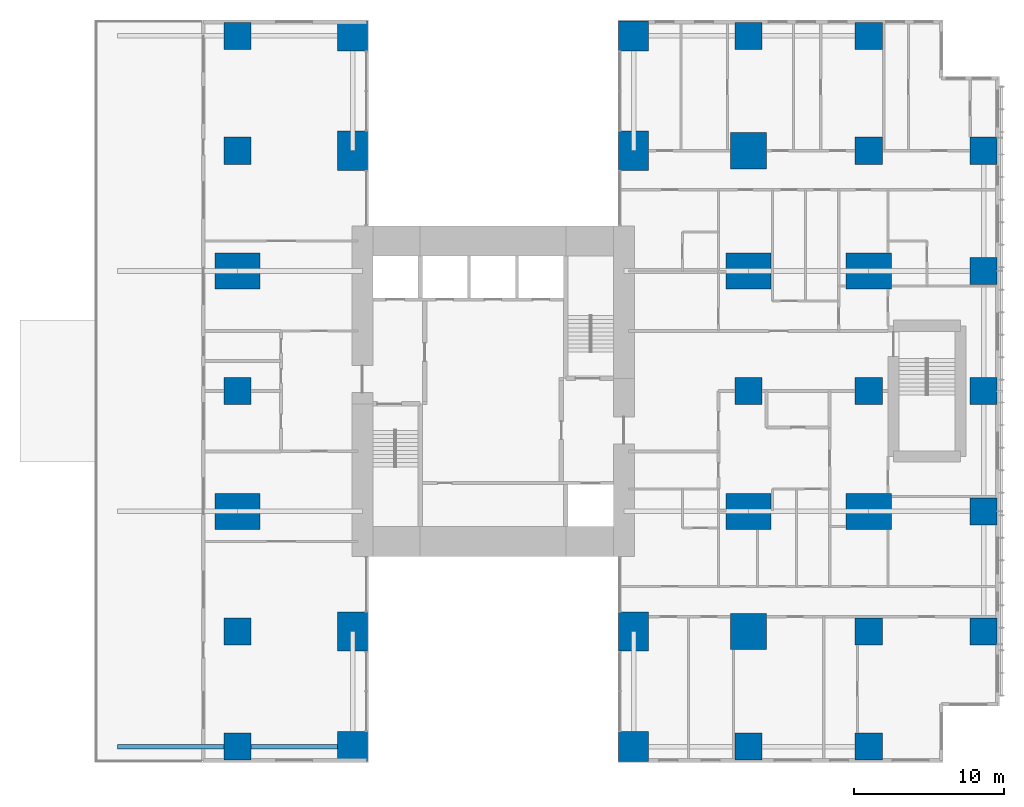
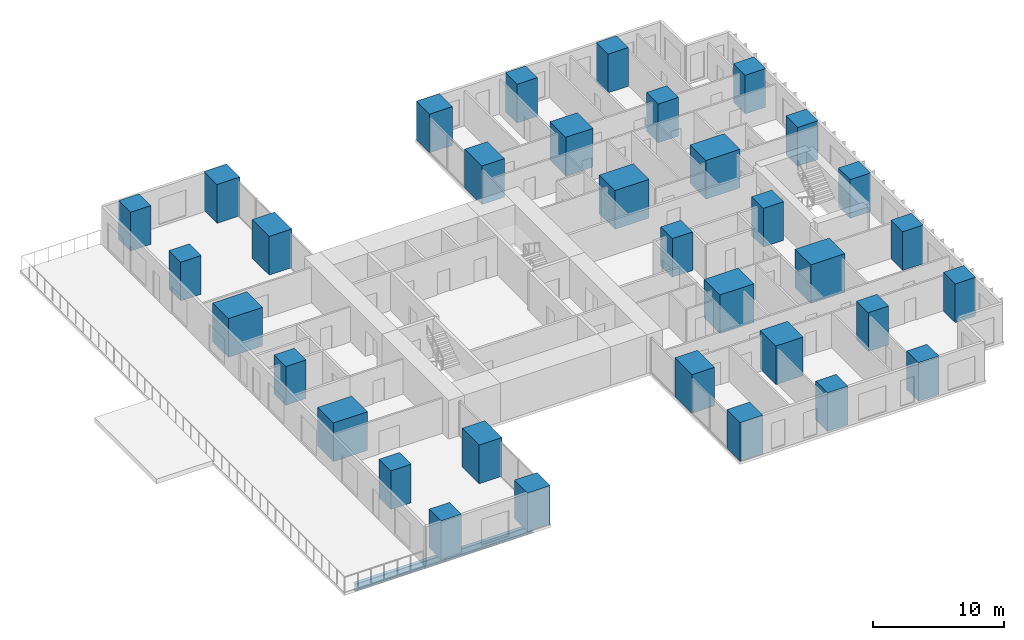
# One storey, part 1 of 15: 34 columns, 2 beams.
"""IFC4 building model written with IfcOpenShell, lengths in metres."""

from ifc_helpers import new_model, si_unit, direction, frame, origin, origin_2d, place, context, subcontext, project, spatial, rectangle, i_section, extrude, material, material_profile, profile_set, type_object, element, save


model = new_model("IFC4")

# Units and contexts
model_context = context("Model", 3, precision=1e-05, world=origin(), true_north=direction((0.0, 1.0)))
body_context = subcontext(model_context, "Body", "Model", "MODEL_VIEW")
ifc_project = project(units=[si_unit("LENGTHUNIT", "METRE"), si_unit("AREAUNIT", "SQUARE_METRE"), si_unit("VOLUMEUNIT", "CUBIC_METRE"), si_unit("PLANEANGLEUNIT", "RADIAN"), si_unit("MASSUNIT", "GRAM", prefix="KILO")], contexts=[model_context])

# Site, building, storey
site_placement = place(None, origin())
site = spatial("IfcSite", under=ifc_project, at=site_placement, CompositionType="ELEMENT")
building_placement = place(site_placement, origin())
building = spatial("IfcBuilding", under=site, at=building_placement, Name="Cleftline Residences", CompositionType="ELEMENT")
storey_placement = place(building_placement, frame((0.0, 0.0, 221.800048828125)))
storey = spatial("IfcBuildingStorey", under=building, at=storey_placement, Name="L58", CompositionType="ELEMENT", Elevation=221.800048828125)

# Columns
ifc_material_1 = material(Name="Concrete B70", Category="concrete")
ifc_material_profile_1 = material_profile(ifc_material_1, rectangle(XDim=1.800048828125, YDim=1.800048828125, at=origin_2d()))
ifc_profile_set_1 = profile_set([ifc_material_profile_1], Name="Concrete B70")
column_type_1 = type_object("IfcColumnType", Name="COLUMN RC1800X1800", PredefinedType="COLUMN", material=ifc_profile_set_1)
for number, where, z_axis, x_axis, name in (
    (1, (16.0, 0.35009765625, 0.0), (0.0, 0.0, 1.0), (1.0, 0.0, 0.0), "Column C/5"),
    (2, (16.0, 8.0, 0.0), (0.0, 0.0, 1.0), (1.0, 0.0, 0.0), "Column D/5"),
    (3, (16.0, 24.0, 0.0), (0.0, 0.0, 1.0), (1.0, 0.0, 0.0), "Column F/5"),
    (4, (16.0, 40.0, 0.0), (0.0, 0.0, 1.0), (1.0, 0.0, 0.0), "Column H/5"),
    (5, (16.0, 47.64990234375, 0.0), (0.0, 0.0, 1.0), (1.0, 0.0, 0.0), "Column J/5"),
    (6, (50.0, 0.35009765625, 0.0), (0.0, 0.0, 1.0), (1.0, 0.0, 0.0), "Column C/9"),
    (7, (50.0, 24.0, 0.0), (0.0, 0.0, 1.0), (1.0, 0.0, 0.0), "Column F/9"),
    (8, (50.0, 47.64990234375, 0.0), (0.0, 0.0, 1.0), (1.0, 0.0, 0.0), "Column J/9"),
    (9, (58.0, 0.35009765625, 0.0), (0.0, 0.0, 1.0), (1.0, 0.0, 0.0), "Column C/10"),
    (10, (58.0, 8.0, 0.0), (0.0, 0.0, 1.0), (1.0, 0.0, 0.0), "Column D/10"),
    (11, (58.0, 24.0, 0.0), (0.0, 0.0, 1.0), (1.0, 0.0, 0.0), "Column F/10"),
    (12, (58.0, 40.0, 0.0), (0.0, 0.0, 1.0), (1.0, 0.0, 0.0), "Column H/10"),
    (13, (58.0, 47.64990234375, 0.0), (0.0, 0.0, 1.0), (1.0, 0.0, 0.0), "Column J/10"),
    (14, (65.64990234375, 8.0, 0.0), (0.0, 0.0, 1.0), (1.0, 0.0, 0.0), "Column D/11"),
    (15, (65.64990234375, 16.0, 0.0), (0.0, 0.0, 1.0), (1.0, 0.0, 0.0), "Column E/11"),
    (16, (65.64990234375, 24.0, 0.0), (0.0, 0.0, 1.0), (1.0, 0.0, 0.0), "Column F/11"),
    (17, (65.64990234375, 32.0, 0.0), (0.0, 0.0, 1.0), (1.0, 0.0, 0.0), "Column G/11"),
    (18, (65.64990234375, 40.0, 0.0), (0.0, 0.0, 1.0), (1.0, 0.0, 0.0), "Column H/11"),
):
    element("IfcColumn", number, at=place(storey_placement, frame(where, z_axis=z_axis, x_axis=x_axis)), inside=storey, type_object=column_type_1, Name=name, PredefinedType="COLUMN", context=body_context, shape_type="SweptSolid", body=[
        extrude(rectangle(XDim=1.800048828125, YDim=1.800048828125, at=origin_2d()), origin(), (0.0, 0.0, 1.0), 3.599853515625),
    ])
ifc_material_2 = material(Name="Concrete B70", Category="concrete")
ifc_material_profile_2 = material_profile(ifc_material_2, rectangle(XDim=2.0, YDim=2.0, at=origin_2d()))
ifc_profile_set_2 = profile_set([ifc_material_profile_2], Name="Concrete B70")
column_type_2 = type_object("IfcColumnType", Name="COLUMN RC2000X2000", PredefinedType="COLUMN", material=ifc_profile_set_2)
for number, where, z_axis, x_axis, name in (
    (19, (23.64990234375, 0.35009765625, 0.0), (0.0, 0.0, 1.0), (1.0, 0.0, 0.0), "Column C/6"),
    (20, (23.64990234375, 47.64990234375, 0.0), (0.0, 0.0, 1.0), (1.0, 0.0, 0.0), "Column J/6"),
    (21, (42.35009765625, 0.35009765625, 0.0), (0.0, 0.0, 1.0), (1.0, 0.0, 0.0), "Column C/8"),
    (22, (42.35009765625, 47.64990234375, 0.0), (0.0, 0.0, 1.0), (1.0, 0.0, 0.0), "Column J/8"),
):
    element("IfcColumn", number, at=place(storey_placement, frame(where, z_axis=z_axis, x_axis=x_axis)), inside=storey, type_object=column_type_2, Name=name, PredefinedType="COLUMN", context=body_context, shape_type="SweptSolid", body=[
        extrude(rectangle(XDim=2.0, YDim=2.0, at=origin_2d()), origin(), (0.0, 0.0, 1.0), 3.599853515625),
    ])
ifc_material_3 = material(Name="Concrete B70", Category="concrete")
ifc_material_profile_3 = material_profile(ifc_material_3, rectangle(XDim=2.0, YDim=2.60009765625, at=origin_2d()))
ifc_profile_set_3 = profile_set([ifc_material_profile_3], Name="Concrete B70")
column_type_3 = type_object("IfcColumnType", Name="COLUMN RC2000X2600", PredefinedType="COLUMN", material=ifc_profile_set_3)
for number, where, z_axis, x_axis, name in (
    (23, (23.64990234375, 8.0, 0.0), (0.0, 0.0, 1.0), (1.0, 0.0, 0.0), "Column D/6"),
    (24, (23.64990234375, 40.0, 0.0), (0.0, 0.0, 1.0), (1.0, 0.0, 0.0), "Column H/6"),
    (25, (42.35009765625, 8.0, 0.0), (0.0, 0.0, 1.0), (1.0, 0.0, 0.0), "Column D/8"),
    (26, (42.35009765625, 40.0, 0.0), (0.0, 0.0, 1.0), (1.0, 0.0, 0.0), "Column H/8"),
):
    element("IfcColumn", number, at=place(storey_placement, frame(where, z_axis=z_axis, x_axis=x_axis)), inside=storey, type_object=column_type_3, Name=name, PredefinedType="COLUMN", context=body_context, shape_type="SweptSolid", body=[
        extrude(rectangle(XDim=2.0, YDim=2.60009765625, at=origin_2d()), origin(), (0.0, 0.0, 1.0), 3.599853515625),
    ])
ifc_material_4 = material(Name="Concrete B70", Category="concrete")
ifc_material_profile_4 = material_profile(ifc_material_4, rectangle(XDim=2.39990234375, YDim=2.39990234375, at=origin_2d()))
ifc_profile_set_4 = profile_set([ifc_material_profile_4], Name="Concrete B70")
column_type_4 = type_object("IfcColumnType", Name="COLUMN RC2400X2400", PredefinedType="COLUMN", material=ifc_profile_set_4)
for number, where, z_axis, x_axis, name in (
    (27, (50.0, 8.0, 0.0), (0.0, 0.0, 1.0), (1.0, 0.0, 0.0), "Column D/9"),
    (28, (50.0, 40.0, 0.0), (0.0, 0.0, 1.0), (1.0, 0.0, 0.0), "Column H/9"),
):
    element("IfcColumn", number, at=place(storey_placement, frame(where, z_axis=z_axis, x_axis=x_axis)), inside=storey, type_object=column_type_4, Name=name, PredefinedType="COLUMN", context=body_context, shape_type="SweptSolid", body=[
        extrude(rectangle(XDim=2.39990234375, YDim=2.39990234375, at=origin_2d()), origin(), (0.0, 0.0, 1.0), 3.599853515625),
    ])
ifc_material_5 = material(Name="Concrete B70", Category="concrete")
ifc_material_profile_5 = material_profile(ifc_material_5, rectangle(XDim=3.0, YDim=2.39990234375, at=origin_2d()))
ifc_profile_set_5 = profile_set([ifc_material_profile_5], Name="Concrete B70")
column_type_5 = type_object("IfcColumnType", Name="COLUMN RC3000X2400", PredefinedType="COLUMN", material=ifc_profile_set_5)
for number, where, z_axis, x_axis, name in (
    (29, (16.0, 16.0, 0.0), (0.0, 0.0, 1.0), (1.0, 0.0, 0.0), "Column E/5"),
    (30, (16.0, 32.0, 0.0), (0.0, 0.0, 1.0), (1.0, 0.0, 0.0), "Column G/5"),
    (31, (50.0, 16.0, 0.0), (0.0, 0.0, 1.0), (1.0, 0.0, 0.0), "Column E/9"),
    (32, (50.0, 32.0, 0.0), (0.0, 0.0, 1.0), (1.0, 0.0, 0.0), "Column G/9"),
    (33, (58.0, 16.0, 0.0), (0.0, 0.0, 1.0), (1.0, 0.0, 0.0), "Column E/10"),
    (34, (58.0, 32.0, 0.0), (0.0, 0.0, 1.0), (1.0, 0.0, 0.0), "Column G/10"),
):
    element("IfcColumn", number, at=place(storey_placement, frame(where, z_axis=z_axis, x_axis=x_axis)), inside=storey, type_object=column_type_5, Name=name, PredefinedType="COLUMN", context=body_context, shape_type="SweptSolid", body=[
        extrude(rectangle(XDim=3.0, YDim=2.39990234375, at=origin_2d()), origin(), (0.0, 0.0, 1.0), 3.599853515625),
    ])

# Beams
ifc_material_6 = material(Name="Steel S355", Category="steel")
ifc_material_profile_6 = material_profile(ifc_material_6, i_section(OverallWidth=0.300048828125, OverallDepth=0.699951171875, WebThickness=0.01708984375, FlangeThickness=0.031982421875, FilletRadius=0.027099609375, at=origin_2d()))
ifc_profile_set_6 = profile_set([ifc_material_profile_6], Name="Steel S355")
beam_type = type_object("IfcBeamType", Name="BEAM HEB 700", PredefinedType="BEAM", material=ifc_profile_set_6)
beam_1_placement = place(storey_placement, frame((8.0, 0.35009765625, -0.60009765625), z_axis=(1.0, 0.0, 0.0), x_axis=(0.0, 1.0, 0.0)))
element("IfcBeam", 35, at=beam_1_placement, inside=storey, type_object=beam_type, Name="Edge beam", PredefinedType="BEAM", context=body_context, shape_type="SweptSolid", body=[
    extrude(i_section(OverallWidth=0.300048828125, OverallDepth=0.699951171875, WebThickness=0.01708984375, FlangeThickness=0.031982421875, FilletRadius=0.027099609375, at=origin_2d()), origin(), (0.0, 0.0, 1.0), 8.0),
])
beam_2_placement = place(storey_placement, frame((16.0, 0.35009765625, -0.60009765625), z_axis=(1.0, 0.0, 0.0), x_axis=(0.0, 1.0, 0.0)))
element("IfcBeam", 36, at=beam_2_placement, inside=storey, type_object=beam_type, Name="Edge beam", PredefinedType="BEAM", context=body_context, shape_type="SweptSolid", body=[
    extrude(i_section(OverallWidth=0.300048828125, OverallDepth=0.699951171875, WebThickness=0.01708984375, FlangeThickness=0.031982421875, FilletRadius=0.027099609375, at=origin_2d()), origin(), (0.0, 0.0, 1.0), 7.64990234375),
])

save(model, "model.ifc")
